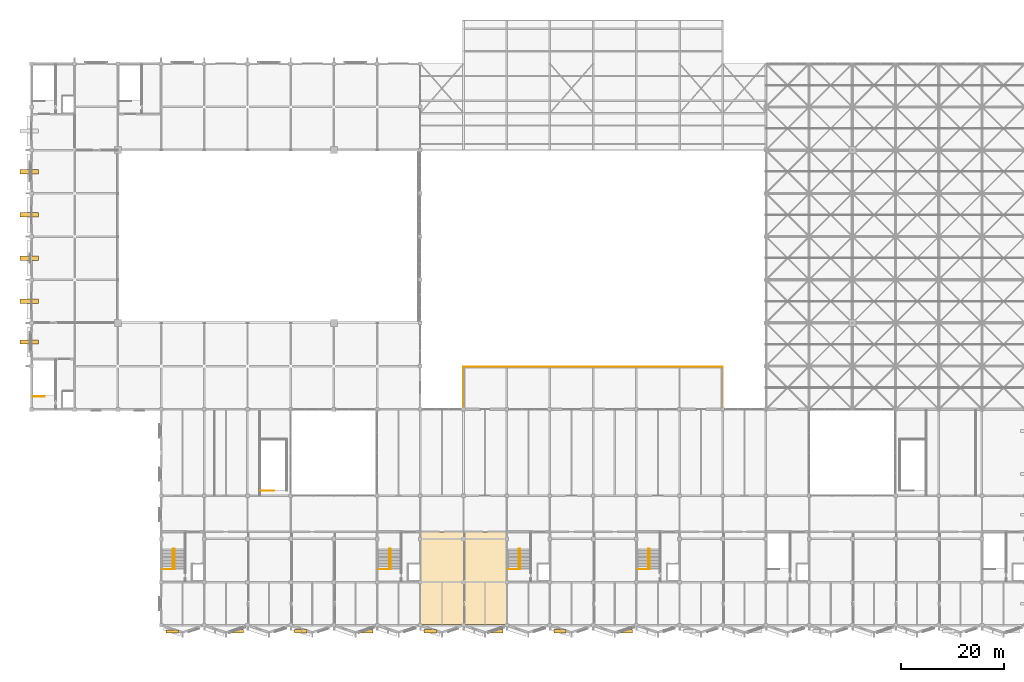
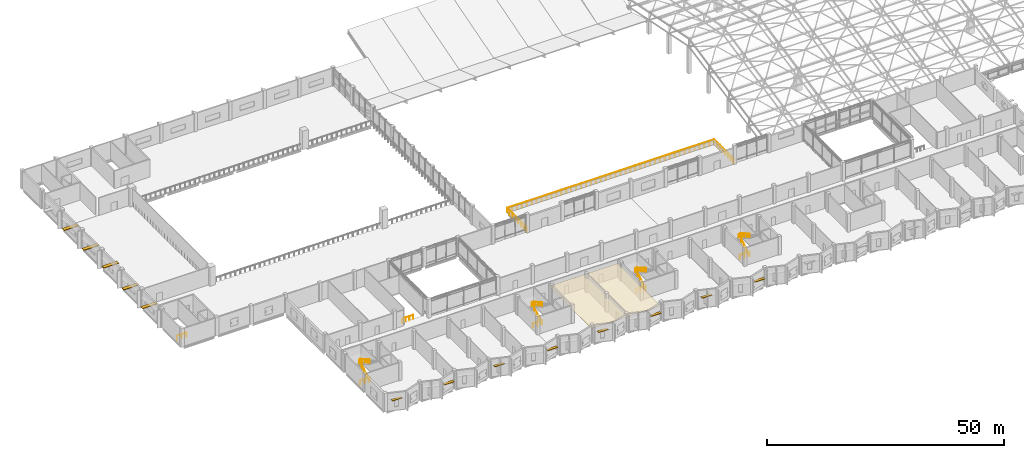
# One storey, part 108 of 110: 15 railings, 13 shading devices, 1 covering.
"""IFC4 building model written with IfcOpenShell, lengths in metres."""

from ifc_helpers import new_model, si_unit, direction, frame, origin, origin_2d, place, context, subcontext, project, spatial, polyline, rectangle, circle, outline, extrude, material, layer, layer_set, type_object, element, save


model = new_model("IFC4")

# Units and contexts
model_context = context("Model", 3, precision=1e-05, world=origin(), true_north=direction((0.0, 1.0)))
body_context = subcontext(model_context, "Body", "Model", "MODEL_VIEW")
ifc_project = project(units=[si_unit("LENGTHUNIT", "METRE"), si_unit("AREAUNIT", "SQUARE_METRE"), si_unit("VOLUMEUNIT", "CUBIC_METRE"), si_unit("PLANEANGLEUNIT", "RADIAN"), si_unit("MASSUNIT", "GRAM", prefix="KILO")], contexts=[model_context])

# Site, building, storey
site_placement = place(None, origin())
site = spatial("IfcSite", under=ifc_project, at=site_placement, CompositionType="ELEMENT")
building_placement = place(site_placement, origin())
building = spatial("IfcBuilding", under=site, at=building_placement, Name="Qawsi Khor Wholesale Market", CompositionType="ELEMENT")
storey_placement = place(building_placement, frame((0.0, 0.0, 11.39990234375)))
storey = spatial("IfcBuildingStorey", under=building, at=storey_placement, Name="L02", CompositionType="ELEMENT", Elevation=11.39990234375)

# Railing
ifc_material_1 = material(Name="Brushed Stainless Steel 316", Category="steel")
railing_type_1 = type_object("IfcRailingType", Name="Atrium Guard Balustrade 1150", PredefinedType="BALUSTRADE", material=ifc_material_1)
railing_1_placement = place(storey_placement, frame((44.47998046875, 26.179931640625, 0.0)))
element("IfcRailing", 1, at=railing_1_placement, inside=storey, type_object=railing_type_1, Name="Atrium stair arrival guard W L02", PredefinedType="BALUSTRADE", context=body_context, shape_type="SweptSolid", body=[
    extrude(circle(Radius=0.02392578125, at=origin_2d()), frame((0.0, 0.0, 1.1259765625), z_axis=(1.0, 0.0, 0.0), x_axis=(0.0, 1.0, 0.0)), (0.0, 0.0, 1.0), 2.669921875),
    extrude(circle(Radius=0.02099609375, at=origin_2d()), origin(), (0.0, 0.0, 1.0), 1.101806640625),
    extrude(circle(Radius=0.02099609375, at=origin_2d()), frame((0.889892578125, 0.0, 0.0)), (0.0, 0.0, 1.0), 1.101806640625),
    extrude(circle(Radius=0.02099609375, at=origin_2d()), frame((1.780029296875, 0.0, 0.0)), (0.0, 0.0, 1.0), 1.101806640625),
    extrude(circle(Radius=0.02099609375, at=origin_2d()), frame((2.669921875, 0.0, 0.0)), (0.0, 0.0, 1.0), 1.101806640625),
])

# Shading devices
ifc_material_2 = material(Name="Anodised Aluminium Louvre", Category="aluminium")
shading_device_type_1 = type_object("IfcShadingDeviceType", Name="Deep-Set Horizontal Sun-Shading Louvre", PredefinedType="JALOUSIE", material=ifc_material_2)
for number, where, z_axis, x_axis, name in (
    (2, (27.357421875, -1.19482421875, 3.0400390625), (0.0, 0.0, 1.0), (1.0, 0.0, 0.0), "Sun-shading louvre 015"),
    (3, (40.0380859375, -1.112548828125, 2.68994140625), (0.0, 0.0, 1.0), (1.0, 0.0, 0.0), "Sun-shading louvre 016"),
    (4, (52.35986328125, -1.122314453125, 3.0400390625), (0.0, 0.0, 1.0), (1.0, 0.0, 0.0), "Sun-shading louvre 017"),
    (5, (65.238037109375, -1.112548828125, 2.68994140625), (0.0, 0.0, 1.0), (1.0, 0.0, 0.0), "Sun-shading louvre 018"),
    (6, (77.559814453125, -1.122314453125, 3.0400390625), (0.0, 0.0, 1.0), (1.0, 0.0, 0.0), "Sun-shading louvre 019"),
    (7, (90.43798828125, -1.112548828125, 2.68994140625), (0.0, 0.0, 1.0), (1.0, 0.0, 0.0), "Sun-shading louvre 020"),
    (8, (102.759765625, -1.122314453125, 3.0400390625), (0.0, 0.0, 1.0), (1.0, 0.0, 0.0), "Sun-shading louvre 021"),
    (9, (115.63818359375, -1.112548828125, 2.68994140625), (0.0, 0.0, 1.0), (1.0, 0.0, 0.0), "Sun-shading louvre 022"),
):
    element("IfcShadingDevice", number, at=place(storey_placement, frame(where, z_axis=z_axis, x_axis=x_axis)), inside=storey, type_object=shading_device_type_1, Name=name, PredefinedType="JALOUSIE", context=body_context, shape_type="SweptSolid", body=[
        extrude(rectangle(XDim=2.39990234375, YDim=0.64990234375, at=origin_2d()), origin(), (0.0, 0.0, 1.0), 0.1201171875),
    ])

# Covering
ifc_material_3 = material(Name="Perforated Powder-Coated Aluminium Ceiling", Category="aluminium")
ifc_layer = layer(ifc_material_3, 0.034912109375, Name="Perforated Powder-Coated Aluminium Ceiling")
ifc_layer_set = layer_set([ifc_layer], Name="Perforated Powder-Coated Aluminium Ceiling")
covering_type = type_object("IfcCoveringType", Name="Perforated Acoustic Metal Tile Ceiling", PredefinedType="CEILING", material=ifc_layer_set)
covering_placement = place(storey_placement, frame((0.0, 0.0, 3.400146484375)))
element("IfcCovering", 10, at=covering_placement, inside=storey, type_object=covering_type, Name="Suspended ceiling 6", PredefinedType="CEILING", context=body_context, shape_type="SweptSolid", body=[
    extrude(outline(polyline([(75.60009765625, 0.199951171875), (92.39990234375, 0.199951171875), (92.39990234375, 18.199951171875), (75.60009765625, 18.199951171875), (75.60009765625, 0.199951171875)])), origin(), (0.0, 0.0, 1.0), 0.034912109375),
])

# Railings
railing_type_2 = type_object("IfcRailingType", Name="Stair & Void Guard Balustrade 1120", PredefinedType="BALUSTRADE", material=ifc_material_1)
for number, where, name in (
    (11, (25.5, 10.89990234375, 0.0), "Stairwell arrival guard ST-01 L02"),
    (12, (67.5, 10.89990234375, 0.0), "Stairwell arrival guard ST-02 L02"),
    (13, (92.699951171875, 10.89990234375, 0.0), "Stairwell arrival guard ST-03 L02"),
    (14, (117.89990234375, 10.89990234375, 0.0), "Stairwell arrival guard ST-04 L02"),
    (15, (0.300048828125, 44.5, 0.0), "Stairwell arrival guard ST-07 L02"),
):
    element("IfcRailing", number, at=place(storey_placement, frame(where)), inside=storey, type_object=railing_type_2, Name=name, PredefinedType="BALUSTRADE", context=body_context, shape_type="SweptSolid", body=[
        extrude(circle(Radius=0.02392578125, at=origin_2d()), frame((0.0, 0.0, 1.09619140625), z_axis=(1.0, 0.0, 0.0), x_axis=(0.0, 1.0, 0.0)), (0.0, 0.0, 1.0), 2.280029296875),
        extrude(circle(Radius=0.02099609375, at=origin_2d()), origin(), (0.0, 0.0, 1.0), 1.072021484375),
        extrude(circle(Radius=0.02099609375, at=origin_2d()), frame((1.14013671875, 0.0, 0.0)), (0.0, 0.0, 1.0), 1.072021484375),
        extrude(circle(Radius=0.02099609375, at=origin_2d()), frame((2.280029296875, 0.0, 0.0)), (0.0, 0.0, 1.0), 1.072021484375),
    ])
railing_type_3 = type_object("IfcRailingType", Name="Stair Pitch Handrail 920", PredefinedType="HANDRAIL", material=ifc_material_1)
railing_2_placement = place(storey_placement, frame((27.5400390625, 10.919921875, 0.16015625)))
element("IfcRailing", 16, at=railing_2_placement, inside=storey, type_object=railing_type_3, Name="Stair handrail ST-01 L02 F1", PredefinedType="HANDRAIL", context=body_context, shape_type="SweptSolid", body=[
    extrude(circle(Radius=0.02392578125, at=origin_2d()), frame((0.0, 0.0, 0.89599609375), z_axis=(0.0, 0.86825312469, 0.496121468458), x_axis=(-1.0, 0.0, 0.0)), (0.0, 0.0, 1.0), 4.514892578125),
    extrude(circle(Radius=0.02099609375, at=origin_2d()), origin(), (0.0, 0.0, 1.0), 0.871826171875),
    extrude(circle(Radius=0.02099609375, at=origin_2d()), frame((0.0, 0.97998046875, 0.56005859375)), (0.0, 0.0, 1.0), 0.871826171875),
    extrude(circle(Radius=0.02099609375, at=origin_2d()), frame((0.0, 1.9599609375, 1.1201171875)), (0.0, 0.0, 1.0), 0.871826171875),
    extrude(circle(Radius=0.02099609375, at=origin_2d()), frame((0.0, 2.940185546875, 1.679931640625)), (0.0, 0.0, 1.0), 0.871826171875),
    extrude(circle(Radius=0.02099609375, at=origin_2d()), frame((0.0, 3.920166015625, 2.239990234375)), (0.0, 0.0, 1.0), 0.871826171875),
])
railing_3_placement = place(storey_placement, frame((27.800048828125, 14.840087890625, 2.56005859375)))
element("IfcRailing", 17, at=railing_3_placement, inside=storey, type_object=railing_type_3, Name="Stair handrail ST-01 L02 F2", PredefinedType="HANDRAIL", context=body_context, shape_type="SweptSolid", body=[
    extrude(circle(Radius=0.02392578125, at=origin_2d()), frame((0.0, 0.0, 0.89599609375), z_axis=(0.0, -0.86825312469, 0.496121468458), x_axis=(1.0, 0.0, 0.0)), (0.0, 0.0, 1.0), 4.514892578125),
    extrude(circle(Radius=0.02099609375, at=origin_2d()), origin(), (0.0, 0.0, 1.0), 0.871826171875),
    extrude(circle(Radius=0.02099609375, at=origin_2d()), frame((0.0, -0.97998046875, 0.56005859375)), (0.0, 0.0, 1.0), 0.871826171875),
    extrude(circle(Radius=0.02099609375, at=origin_2d()), frame((0.0, -1.9599609375, 1.1201171875)), (0.0, 0.0, 1.0), 0.871826171875),
    extrude(circle(Radius=0.02099609375, at=origin_2d()), frame((0.0, -2.940185546875, 1.679931640625)), (0.0, 0.0, 1.0), 0.871826171875),
    extrude(circle(Radius=0.02099609375, at=origin_2d()), frame((0.0, -3.920166015625, 2.239990234375)), (0.0, 0.0, 1.0), 0.871826171875),
])
railing_4_placement = place(storey_placement, frame((69.5400390625, 10.919921875, 0.16015625)))
element("IfcRailing", 18, at=railing_4_placement, inside=storey, type_object=railing_type_3, Name="Stair handrail ST-02 L02 F1", PredefinedType="HANDRAIL", context=body_context, shape_type="SweptSolid", body=[
    extrude(circle(Radius=0.02392578125, at=origin_2d()), frame((0.0, 0.0, 0.89599609375), z_axis=(0.0, 0.86825312469, 0.496121468458), x_axis=(-1.0, 0.0, 0.0)), (0.0, 0.0, 1.0), 4.514892578125),
    extrude(circle(Radius=0.02099609375, at=origin_2d()), origin(), (0.0, 0.0, 1.0), 0.871826171875),
    extrude(circle(Radius=0.02099609375, at=origin_2d()), frame((0.0, 0.97998046875, 0.56005859375)), (0.0, 0.0, 1.0), 0.871826171875),
    extrude(circle(Radius=0.02099609375, at=origin_2d()), frame((0.0, 1.9599609375, 1.1201171875)), (0.0, 0.0, 1.0), 0.871826171875),
    extrude(circle(Radius=0.02099609375, at=origin_2d()), frame((0.0, 2.940185546875, 1.679931640625)), (0.0, 0.0, 1.0), 0.871826171875),
    extrude(circle(Radius=0.02099609375, at=origin_2d()), frame((0.0, 3.920166015625, 2.239990234375)), (0.0, 0.0, 1.0), 0.871826171875),
])
railing_5_placement = place(storey_placement, frame((69.800048828125, 14.840087890625, 2.56005859375)))
element("IfcRailing", 19, at=railing_5_placement, inside=storey, type_object=railing_type_3, Name="Stair handrail ST-02 L02 F2", PredefinedType="HANDRAIL", context=body_context, shape_type="SweptSolid", body=[
    extrude(circle(Radius=0.02392578125, at=origin_2d()), frame((0.0, 0.0, 0.89599609375), z_axis=(0.0, -0.86825312469, 0.496121468458), x_axis=(1.0, 0.0, 0.0)), (0.0, 0.0, 1.0), 4.514892578125),
    extrude(circle(Radius=0.02099609375, at=origin_2d()), origin(), (0.0, 0.0, 1.0), 0.871826171875),
    extrude(circle(Radius=0.02099609375, at=origin_2d()), frame((0.0, -0.97998046875, 0.56005859375)), (0.0, 0.0, 1.0), 0.871826171875),
    extrude(circle(Radius=0.02099609375, at=origin_2d()), frame((0.0, -1.9599609375, 1.1201171875)), (0.0, 0.0, 1.0), 0.871826171875),
    extrude(circle(Radius=0.02099609375, at=origin_2d()), frame((0.0, -2.940185546875, 1.679931640625)), (0.0, 0.0, 1.0), 0.871826171875),
    extrude(circle(Radius=0.02099609375, at=origin_2d()), frame((0.0, -3.920166015625, 2.239990234375)), (0.0, 0.0, 1.0), 0.871826171875),
])
railing_6_placement = place(storey_placement, frame((94.739990234375, 10.919921875, 0.16015625)))
element("IfcRailing", 20, at=railing_6_placement, inside=storey, type_object=railing_type_3, Name="Stair handrail ST-03 L02 F1", PredefinedType="HANDRAIL", context=body_context, shape_type="SweptSolid", body=[
    extrude(circle(Radius=0.02392578125, at=origin_2d()), frame((0.0, 0.0, 0.89599609375), z_axis=(0.0, 0.86825312469, 0.496121468458), x_axis=(-1.0, 0.0, 0.0)), (0.0, 0.0, 1.0), 4.514892578125),
    extrude(circle(Radius=0.02099609375, at=origin_2d()), origin(), (0.0, 0.0, 1.0), 0.871826171875),
    extrude(circle(Radius=0.02099609375, at=origin_2d()), frame((0.0, 0.97998046875, 0.56005859375)), (0.0, 0.0, 1.0), 0.871826171875),
    extrude(circle(Radius=0.02099609375, at=origin_2d()), frame((0.0, 1.9599609375, 1.1201171875)), (0.0, 0.0, 1.0), 0.871826171875),
    extrude(circle(Radius=0.02099609375, at=origin_2d()), frame((0.0, 2.940185546875, 1.679931640625)), (0.0, 0.0, 1.0), 0.871826171875),
    extrude(circle(Radius=0.02099609375, at=origin_2d()), frame((0.0, 3.920166015625, 2.239990234375)), (0.0, 0.0, 1.0), 0.871826171875),
])
railing_7_placement = place(storey_placement, frame((95.0, 14.840087890625, 2.56005859375)))
element("IfcRailing", 21, at=railing_7_placement, inside=storey, type_object=railing_type_3, Name="Stair handrail ST-03 L02 F2", PredefinedType="HANDRAIL", context=body_context, shape_type="SweptSolid", body=[
    extrude(circle(Radius=0.02392578125, at=origin_2d()), frame((0.0, 0.0, 0.89599609375), z_axis=(0.0, -0.86825312469, 0.496121468458), x_axis=(1.0, 0.0, 0.0)), (0.0, 0.0, 1.0), 4.514892578125),
    extrude(circle(Radius=0.02099609375, at=origin_2d()), origin(), (0.0, 0.0, 1.0), 0.871826171875),
    extrude(circle(Radius=0.02099609375, at=origin_2d()), frame((0.0, -0.97998046875, 0.56005859375)), (0.0, 0.0, 1.0), 0.871826171875),
    extrude(circle(Radius=0.02099609375, at=origin_2d()), frame((0.0, -1.9599609375, 1.1201171875)), (0.0, 0.0, 1.0), 0.871826171875),
    extrude(circle(Radius=0.02099609375, at=origin_2d()), frame((0.0, -2.940185546875, 1.679931640625)), (0.0, 0.0, 1.0), 0.871826171875),
    extrude(circle(Radius=0.02099609375, at=origin_2d()), frame((0.0, -3.920166015625, 2.239990234375)), (0.0, 0.0, 1.0), 0.871826171875),
])
railing_8_placement = place(storey_placement, frame((119.93994140625, 10.919921875, 0.16015625)))
element("IfcRailing", 22, at=railing_8_placement, inside=storey, type_object=railing_type_3, Name="Stair handrail ST-04 L02 F1", PredefinedType="HANDRAIL", context=body_context, shape_type="SweptSolid", body=[
    extrude(circle(Radius=0.02392578125, at=origin_2d()), frame((0.0, 0.0, 0.89599609375), z_axis=(0.0, 0.86825312469, 0.496121468458), x_axis=(-1.0, 0.0, 0.0)), (0.0, 0.0, 1.0), 4.514892578125),
    extrude(circle(Radius=0.02099609375, at=origin_2d()), origin(), (0.0, 0.0, 1.0), 0.871826171875),
    extrude(circle(Radius=0.02099609375, at=origin_2d()), frame((0.0, 0.97998046875, 0.56005859375)), (0.0, 0.0, 1.0), 0.871826171875),
    extrude(circle(Radius=0.02099609375, at=origin_2d()), frame((0.0, 1.9599609375, 1.1201171875)), (0.0, 0.0, 1.0), 0.871826171875),
    extrude(circle(Radius=0.02099609375, at=origin_2d()), frame((0.0, 2.940185546875, 1.679931640625)), (0.0, 0.0, 1.0), 0.871826171875),
    extrude(circle(Radius=0.02099609375, at=origin_2d()), frame((0.0, 3.920166015625, 2.239990234375)), (0.0, 0.0, 1.0), 0.871826171875),
])
railing_9_placement = place(storey_placement, frame((120.199951171875, 14.840087890625, 2.56005859375)))
element("IfcRailing", 23, at=railing_9_placement, inside=storey, type_object=railing_type_3, Name="Stair handrail ST-04 L02 F2", PredefinedType="HANDRAIL", context=body_context, shape_type="SweptSolid", body=[
    extrude(circle(Radius=0.02392578125, at=origin_2d()), frame((0.0, 0.0, 0.89599609375), z_axis=(0.0, -0.86825312469, 0.496121468458), x_axis=(1.0, 0.0, 0.0)), (0.0, 0.0, 1.0), 4.514892578125),
    extrude(circle(Radius=0.02099609375, at=origin_2d()), origin(), (0.0, 0.0, 1.0), 0.871826171875),
    extrude(circle(Radius=0.02099609375, at=origin_2d()), frame((0.0, -0.97998046875, 0.56005859375)), (0.0, 0.0, 1.0), 0.871826171875),
    extrude(circle(Radius=0.02099609375, at=origin_2d()), frame((0.0, -1.9599609375, 1.1201171875)), (0.0, 0.0, 1.0), 0.871826171875),
    extrude(circle(Radius=0.02099609375, at=origin_2d()), frame((0.0, -2.940185546875, 1.679931640625)), (0.0, 0.0, 1.0), 0.871826171875),
    extrude(circle(Radius=0.02099609375, at=origin_2d()), frame((0.0, -3.920166015625, 2.239990234375)), (0.0, 0.0, 1.0), 0.871826171875),
])
ifc_material_4 = material(Name="Brushed Stainless Steel 316 & Laminated Glass", Category="steel")
railing_type_4 = type_object("IfcRailingType", Name="Terrace Perimeter Guard Balustrade 1180", PredefinedType="BALUSTRADE", material=ifc_material_4)
railing_10_placement = place(storey_placement, frame((84.0, 42.10009765625, 0.0)))
element("IfcRailing", 24, at=railing_10_placement, inside=storey, type_object=railing_type_4, Name="Guard balustrade GRD-TER-L02-COURT", PredefinedType="BALUSTRADE", context=body_context, shape_type="SweptSolid", body=[
    extrude(circle(Radius=0.02392578125, at=origin_2d()), frame((0.0, 0.0, 1.15576171875), z_axis=(0.0, 1.0, 0.0), x_axis=(-1.0, 0.0, 0.0)), (0.0, 0.0, 1.0), 8.199951171875),
    extrude(circle(Radius=0.02392578125, at=origin_2d()), frame((0.0, 8.199951171875, 1.15576171875), z_axis=(1.0, 0.0, 0.0), x_axis=(0.0, 1.0, 0.0)), (0.0, 0.0, 1.0), 50.39990234375),
    extrude(circle(Radius=0.02392578125, at=origin_2d()), frame((50.39990234375, 8.199951171875, 1.15576171875), z_axis=(0.0, -1.0, 0.0), x_axis=(1.0, 0.0, 0.0)), (0.0, 0.0, 1.0), 8.199951171875),
    extrude(circle(Radius=0.02099609375, at=origin_2d()), origin(), (0.0, 0.0, 1.0), 1.1318359375),
    extrude(circle(Radius=0.02099609375, at=origin_2d()), frame((0.0, 1.17138671875, 0.0)), (0.0, 0.0, 1.0), 1.1318359375),
    extrude(circle(Radius=0.02099609375, at=origin_2d()), frame((0.0, 2.3427734375, 0.0)), (0.0, 0.0, 1.0), 1.1318359375),
    extrude(circle(Radius=0.02099609375, at=origin_2d()), frame((0.0, 3.51416015625, 0.0)), (0.0, 0.0, 1.0), 1.1318359375),
    extrude(circle(Radius=0.02099609375, at=origin_2d()), frame((0.0, 4.685791015625, 0.0)), (0.0, 0.0, 1.0), 1.1318359375),
    extrude(circle(Radius=0.02099609375, at=origin_2d()), frame((0.0, 5.857177734375, 0.0)), (0.0, 0.0, 1.0), 1.1318359375),
    extrude(circle(Radius=0.02099609375, at=origin_2d()), frame((0.0, 7.028564453125, 0.0)), (0.0, 0.0, 1.0), 1.1318359375),
    extrude(circle(Radius=0.02099609375, at=origin_2d()), frame((0.0, 8.199951171875, 0.0)), (0.0, 0.0, 1.0), 1.1318359375),
    extrude(circle(Radius=0.02099609375, at=origin_2d()), frame((1.199951171875, 8.199951171875, 0.0)), (0.0, 0.0, 1.0), 1.1318359375),
    extrude(circle(Radius=0.02099609375, at=origin_2d()), frame((2.39990234375, 8.199951171875, 0.0)), (0.0, 0.0, 1.0), 1.1318359375),
    extrude(circle(Radius=0.02099609375, at=origin_2d()), frame((3.60009765625, 8.199951171875, 0.0)), (0.0, 0.0, 1.0), 1.1318359375),
    extrude(circle(Radius=0.02099609375, at=origin_2d()), frame((4.800048828125, 8.199951171875, 0.0)), (0.0, 0.0, 1.0), 1.1318359375),
    extrude(circle(Radius=0.02099609375, at=origin_2d()), frame((6.0, 8.199951171875, 0.0)), (0.0, 0.0, 1.0), 1.1318359375),
    extrude(circle(Radius=0.02099609375, at=origin_2d()), frame((7.199951171875, 8.199951171875, 0.0)), (0.0, 0.0, 1.0), 1.1318359375),
    extrude(circle(Radius=0.02099609375, at=origin_2d()), frame((8.39990234375, 8.199951171875, 0.0)), (0.0, 0.0, 1.0), 1.1318359375),
    extrude(circle(Radius=0.02099609375, at=origin_2d()), frame((9.60009765625, 8.199951171875, 0.0)), (0.0, 0.0, 1.0), 1.1318359375),
    extrude(circle(Radius=0.02099609375, at=origin_2d()), frame((10.800048828125, 8.199951171875, 0.0)), (0.0, 0.0, 1.0), 1.1318359375),
    extrude(circle(Radius=0.02099609375, at=origin_2d()), frame((12.0, 8.199951171875, 0.0)), (0.0, 0.0, 1.0), 1.1318359375),
    extrude(circle(Radius=0.02099609375, at=origin_2d()), frame((13.199951171875, 8.199951171875, 0.0)), (0.0, 0.0, 1.0), 1.1318359375),
    extrude(circle(Radius=0.02099609375, at=origin_2d()), frame((14.39990234375, 8.199951171875, 0.0)), (0.0, 0.0, 1.0), 1.1318359375),
    extrude(circle(Radius=0.02099609375, at=origin_2d()), frame((15.599853515625, 8.199951171875, 0.0)), (0.0, 0.0, 1.0), 1.1318359375),
    extrude(circle(Radius=0.02099609375, at=origin_2d()), frame((16.800048828125, 8.199951171875, 0.0)), (0.0, 0.0, 1.0), 1.1318359375),
    extrude(circle(Radius=0.02099609375, at=origin_2d()), frame((18.0, 8.199951171875, 0.0)), (0.0, 0.0, 1.0), 1.1318359375),
    extrude(circle(Radius=0.02099609375, at=origin_2d()), frame((19.199951171875, 8.199951171875, 0.0)), (0.0, 0.0, 1.0), 1.1318359375),
    extrude(circle(Radius=0.02099609375, at=origin_2d()), frame((20.39990234375, 8.199951171875, 0.0)), (0.0, 0.0, 1.0), 1.1318359375),
    extrude(circle(Radius=0.02099609375, at=origin_2d()), frame((21.599853515625, 8.199951171875, 0.0)), (0.0, 0.0, 1.0), 1.1318359375),
    extrude(circle(Radius=0.02099609375, at=origin_2d()), frame((22.800048828125, 8.199951171875, 0.0)), (0.0, 0.0, 1.0), 1.1318359375),
    extrude(circle(Radius=0.02099609375, at=origin_2d()), frame((24.0, 8.199951171875, 0.0)), (0.0, 0.0, 1.0), 1.1318359375),
    extrude(circle(Radius=0.02099609375, at=origin_2d()), frame((25.199951171875, 8.199951171875, 0.0)), (0.0, 0.0, 1.0), 1.1318359375),
    extrude(circle(Radius=0.02099609375, at=origin_2d()), frame((26.39990234375, 8.199951171875, 0.0)), (0.0, 0.0, 1.0), 1.1318359375),
    extrude(circle(Radius=0.02099609375, at=origin_2d()), frame((27.599853515625, 8.199951171875, 0.0)), (0.0, 0.0, 1.0), 1.1318359375),
    extrude(circle(Radius=0.02099609375, at=origin_2d()), frame((28.800048828125, 8.199951171875, 0.0)), (0.0, 0.0, 1.0), 1.1318359375),
    extrude(circle(Radius=0.02099609375, at=origin_2d()), frame((30.0, 8.199951171875, 0.0)), (0.0, 0.0, 1.0), 1.1318359375),
    extrude(circle(Radius=0.02099609375, at=origin_2d()), frame((31.199951171875, 8.199951171875, 0.0)), (0.0, 0.0, 1.0), 1.1318359375),
    extrude(circle(Radius=0.02099609375, at=origin_2d()), frame((32.39990234375, 8.199951171875, 0.0)), (0.0, 0.0, 1.0), 1.1318359375),
    extrude(circle(Radius=0.02099609375, at=origin_2d()), frame((33.599853515625, 8.199951171875, 0.0)), (0.0, 0.0, 1.0), 1.1318359375),
    extrude(circle(Radius=0.02099609375, at=origin_2d()), frame((34.800048828125, 8.199951171875, 0.0)), (0.0, 0.0, 1.0), 1.1318359375),
    extrude(circle(Radius=0.02099609375, at=origin_2d()), frame((36.0, 8.199951171875, 0.0)), (0.0, 0.0, 1.0), 1.1318359375),
    extrude(circle(Radius=0.02099609375, at=origin_2d()), frame((37.199951171875, 8.199951171875, 0.0)), (0.0, 0.0, 1.0), 1.1318359375),
    extrude(circle(Radius=0.02099609375, at=origin_2d()), frame((38.39990234375, 8.199951171875, 0.0)), (0.0, 0.0, 1.0), 1.1318359375),
    extrude(circle(Radius=0.02099609375, at=origin_2d()), frame((39.599853515625, 8.199951171875, 0.0)), (0.0, 0.0, 1.0), 1.1318359375),
    extrude(circle(Radius=0.02099609375, at=origin_2d()), frame((40.7998046875, 8.199951171875, 0.0)), (0.0, 0.0, 1.0), 1.1318359375),
    extrude(circle(Radius=0.02099609375, at=origin_2d()), frame((42.0, 8.199951171875, 0.0)), (0.0, 0.0, 1.0), 1.1318359375),
    extrude(circle(Radius=0.02099609375, at=origin_2d()), frame((43.199951171875, 8.199951171875, 0.0)), (0.0, 0.0, 1.0), 1.1318359375),
    extrude(circle(Radius=0.02099609375, at=origin_2d()), frame((44.39990234375, 8.199951171875, 0.0)), (0.0, 0.0, 1.0), 1.1318359375),
    extrude(circle(Radius=0.02099609375, at=origin_2d()), frame((45.599853515625, 8.199951171875, 0.0)), (0.0, 0.0, 1.0), 1.1318359375),
    extrude(circle(Radius=0.02099609375, at=origin_2d()), frame((46.7998046875, 8.199951171875, 0.0)), (0.0, 0.0, 1.0), 1.1318359375),
    extrude(circle(Radius=0.02099609375, at=origin_2d()), frame((48.0, 8.199951171875, 0.0)), (0.0, 0.0, 1.0), 1.1318359375),
    extrude(circle(Radius=0.02099609375, at=origin_2d()), frame((49.199951171875, 8.199951171875, 0.0)), (0.0, 0.0, 1.0), 1.1318359375),
    extrude(circle(Radius=0.02099609375, at=origin_2d()), frame((50.39990234375, 8.199951171875, 0.0)), (0.0, 0.0, 1.0), 1.1318359375),
    extrude(circle(Radius=0.02099609375, at=origin_2d()), frame((50.39990234375, 7.028564453125, 0.0)), (0.0, 0.0, 1.0), 1.1318359375),
    extrude(circle(Radius=0.02099609375, at=origin_2d()), frame((50.39990234375, 5.857177734375, 0.0)), (0.0, 0.0, 1.0), 1.1318359375),
    extrude(circle(Radius=0.02099609375, at=origin_2d()), frame((50.39990234375, 4.685791015625, 0.0)), (0.0, 0.0, 1.0), 1.1318359375),
    extrude(circle(Radius=0.02099609375, at=origin_2d()), frame((50.39990234375, 3.51416015625, 0.0)), (0.0, 0.0, 1.0), 1.1318359375),
    extrude(circle(Radius=0.02099609375, at=origin_2d()), frame((50.39990234375, 2.3427734375, 0.0)), (0.0, 0.0, 1.0), 1.1318359375),
    extrude(circle(Radius=0.02099609375, at=origin_2d()), frame((50.39990234375, 1.17138671875, 0.0)), (0.0, 0.0, 1.0), 1.1318359375),
    extrude(circle(Radius=0.02099609375, at=origin_2d()), frame((50.39990234375, 0.0, 0.0)), (0.0, 0.0, 1.0), 1.1318359375),
])

# Shading devices
shading_device_type_2 = type_object("IfcShadingDeviceType", Name="Trading Hall Overhang Sun-Baffle", PredefinedType="JALOUSIE", material=ifc_material_2)
for number, where, z_axis, x_axis, name in (
    (25, (-0.425048828125, 55.0849609375, 2.669921875), (0.0, 0.0, 1.0), (1.0, 0.0, 0.0), "Sun-shading louvre 048"),
    (26, (-0.425048828125, 63.0, 2.669921875), (0.0, 0.0, 1.0), (1.0, 0.0, 0.0), "Sun-shading louvre 049"),
    (27, (-0.425048828125, 71.39990234375, 3.22021484375), (0.0, 0.0, 1.0), (1.0, 0.0, 0.0), "Sun-shading louvre 050"),
    (28, (-0.425048828125, 79.800048828125, 2.669921875), (0.0, 0.0, 1.0), (1.0, 0.0, 0.0), "Sun-shading louvre 051"),
    (29, (-0.425048828125, 88.199951171875, 2.669921875), (0.0, 0.0, 1.0), (1.0, 0.0, 0.0), "Sun-shading louvre 052"),
):
    element("IfcShadingDevice", number, at=place(storey_placement, frame(where, z_axis=z_axis, x_axis=x_axis)), inside=storey, type_object=shading_device_type_2, Name=name, PredefinedType="JALOUSIE", context=body_context, shape_type="SweptSolid", body=[
        extrude(rectangle(XDim=3.60009765625, YDim=0.85009765625, at=origin_2d()), origin(), (0.0, 0.0, 1.0), 0.159912109375),
    ])

save(model, "model.ifc")
